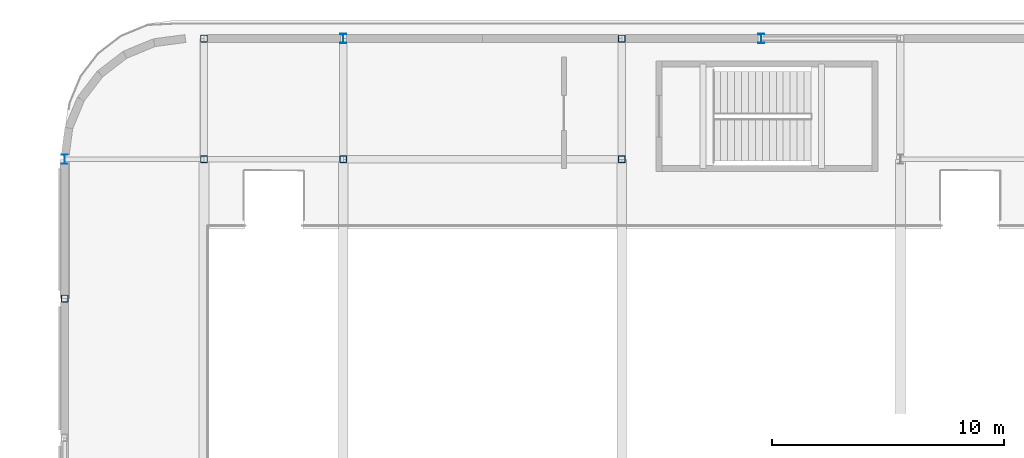
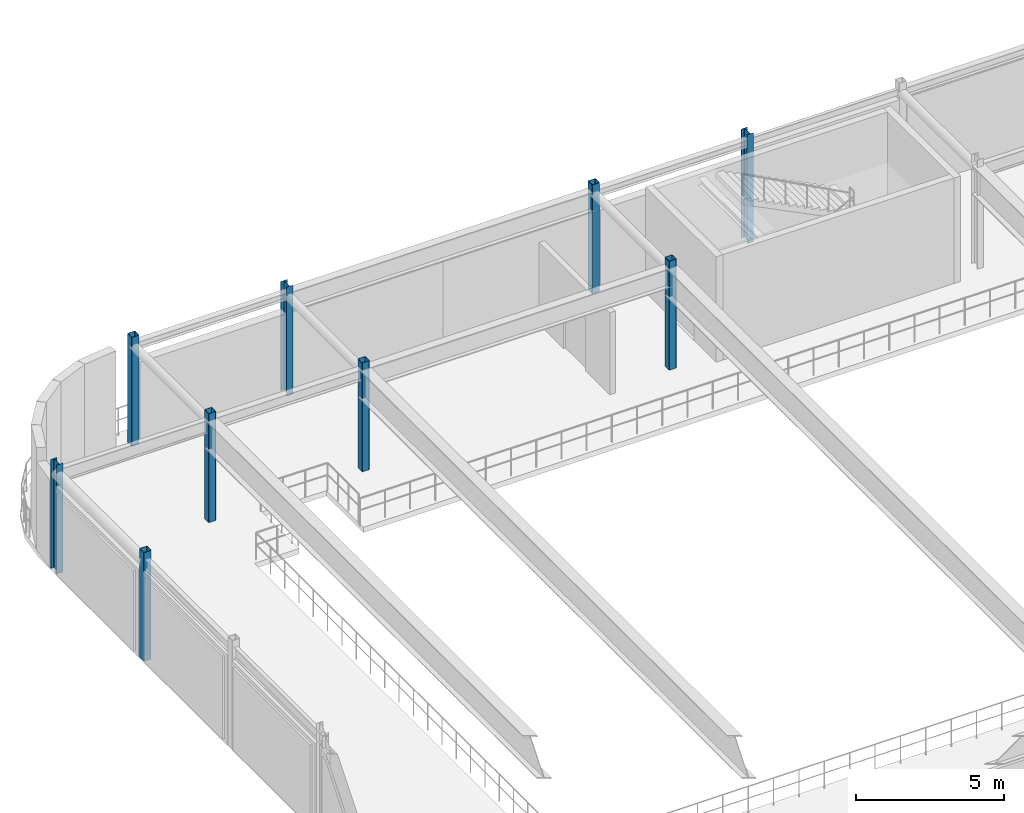
# One storey, part 13 of 96: 9 columns.
"""IFC4 building model written with IfcOpenShell, lengths in metres."""

from ifc_helpers import new_model, si_unit, direction, frame, origin, origin_2d, place, context, subcontext, project, spatial, hollow_rectangle, i_section, extrude, material, material_profile, profile_set, type_object, element, save


model = new_model("IFC4")

# Units and contexts
model_context = context("Model", 3, precision=1e-05, world=origin(), true_north=direction((0.0, 1.0)))
body_context = subcontext(model_context, "Body", "Model", "MODEL_VIEW")
ifc_project = project(units=[si_unit("LENGTHUNIT", "METRE"), si_unit("AREAUNIT", "SQUARE_METRE"), si_unit("VOLUMEUNIT", "CUBIC_METRE"), si_unit("PLANEANGLEUNIT", "RADIAN"), si_unit("MASSUNIT", "GRAM", prefix="KILO")], contexts=[model_context])

# Site, building, storey
site_placement = place(None, origin())
site = spatial("IfcSite", under=ifc_project, at=site_placement, CompositionType="ELEMENT")
building_placement = place(site_placement, origin())
building = spatial("IfcBuilding", under=site, at=building_placement, Name="Varnakota Square Police Headquarters", CompositionType="ELEMENT")
storey_placement = place(building_placement, frame((0.0, 0.0, 4.800048828125)))
storey = spatial("IfcBuildingStorey", under=building, at=storey_placement, Name="L01", CompositionType="ELEMENT", Elevation=4.800048828125)

# Columns
ifc_material = material(Name="Steel IS 2062 Grade 350", Category="steel")
ifc_material_profile_1 = material_profile(ifc_material, i_section(OverallWidth=0.25, OverallDepth=0.39990234375, WebThickness=0.010498046875, FlangeThickness=0.0126953125, FilletRadius=0.013916015625, at=origin_2d()), Name="ISHB 400")
ifc_profile_set_1 = profile_set([ifc_material_profile_1], Name="Steel IS 2062 Grade 350")
column_type_1 = type_object("IfcColumnType", Name="COL-ISHB400", PredefinedType="COLUMN", material=ifc_profile_set_1)
for number, where, z_axis, x_axis, name in (
    (1, (6.0, 105.0, 0.0), (0.0, 0.0, 1.0), (1.0, 0.0, 0.0), "Column X0060-Y1050 L01"),
    (2, (18.0, 110.199951171875, 0.0), (0.0, 0.0, 1.0), (1.0, 0.0, 0.0), "Column X0180-Y1102 L01"),
    (3, (36.0, 110.199951171875, 0.0), (0.0, 0.0, 1.0), (1.0, 0.0, 0.0), "Column X0360-Y1102 L01"),
):
    element("IfcColumn", number, at=place(storey_placement, frame(where, z_axis=z_axis, x_axis=x_axis)), inside=storey, type_object=column_type_1, Name=name, PredefinedType="COLUMN", context=body_context, shape_type="SweptSolid", body=[
        extrude(i_section(OverallWidth=0.25, OverallDepth=0.39990234375, WebThickness=0.010498046875, FlangeThickness=0.0126953125, FilletRadius=0.013916015625, at=origin_2d()), origin(), (0.0, 0.0, 1.0), 4.5),
    ])
ifc_material_profile_2 = material_profile(ifc_material, hollow_rectangle(XDim=0.300048828125, YDim=0.300048828125, WallThickness=0.01611328125, InnerFilletRadius=0.01611328125, OuterFilletRadius=0.031982421875, at=origin_2d()), Name="SHS 300x300x16")
ifc_profile_set_2 = profile_set([ifc_material_profile_2], Name="Steel IS 2062 Grade 350")
column_type_2 = type_object("IfcColumnType", Name="COL-SHS300", PredefinedType="COLUMN", material=ifc_profile_set_2)
for number, where, z_axis, x_axis, name in (
    (4, (6.0, 99.0, 0.0), (0.0, 0.0, 1.0), (1.0, 0.0, 0.0), "Column X0060-Y0990 L01"),
    (5, (12.0, 105.0, 0.0), (0.0, 0.0, 1.0), (1.0, 0.0, 0.0), "Column X0120-Y1050 L01"),
    (6, (12.0, 110.199951171875, 0.0), (0.0, 0.0, 1.0), (1.0, 0.0, 0.0), "Column X0120-Y1102 L01"),
    (7, (18.0, 105.0, 0.0), (0.0, 0.0, 1.0), (1.0, 0.0, 0.0), "Column X0180-Y1050 L01"),
    (8, (30.0, 105.0, 0.0), (0.0, 0.0, 1.0), (1.0, 0.0, 0.0), "Column X0300-Y1050 L01"),
    (9, (30.0, 110.199951171875, 0.0), (0.0, 0.0, 1.0), (1.0, 0.0, 0.0), "Column X0300-Y1102 L01"),
):
    element("IfcColumn", number, at=place(storey_placement, frame(where, z_axis=z_axis, x_axis=x_axis)), inside=storey, type_object=column_type_2, Name=name, PredefinedType="COLUMN", context=body_context, shape_type="SweptSolid", body=[
        extrude(hollow_rectangle(XDim=0.300048828125, YDim=0.300048828125, WallThickness=0.01611328125, InnerFilletRadius=0.01611328125, OuterFilletRadius=0.031982421875, at=origin_2d()), origin(), (0.0, 0.0, 1.0), 4.5),
    ])

save(model, "model.ifc")
